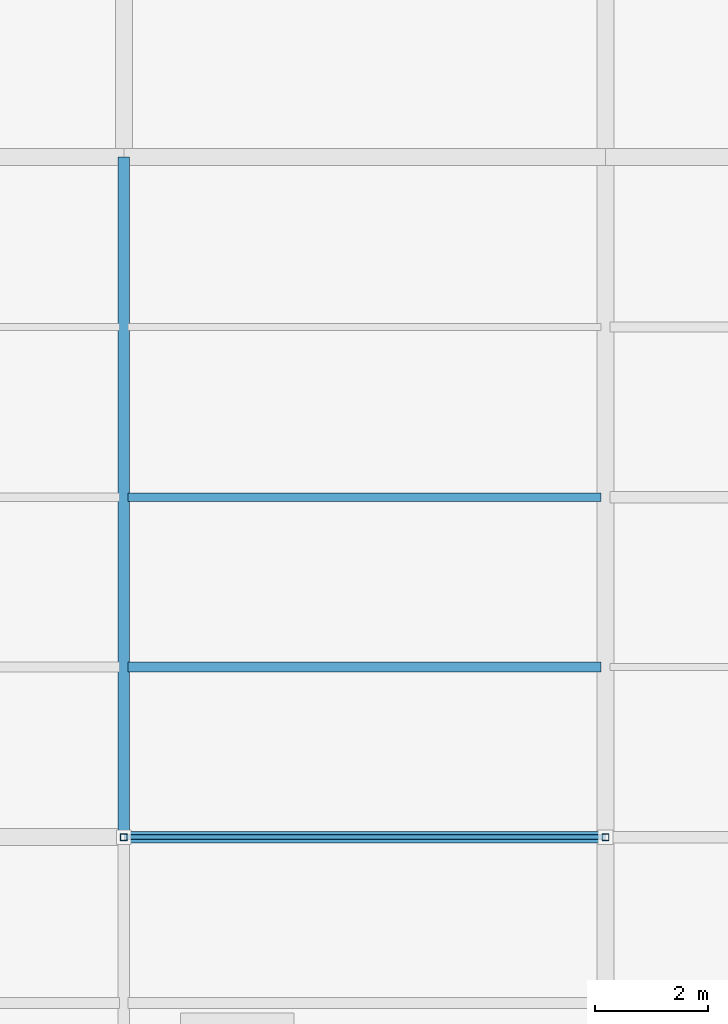
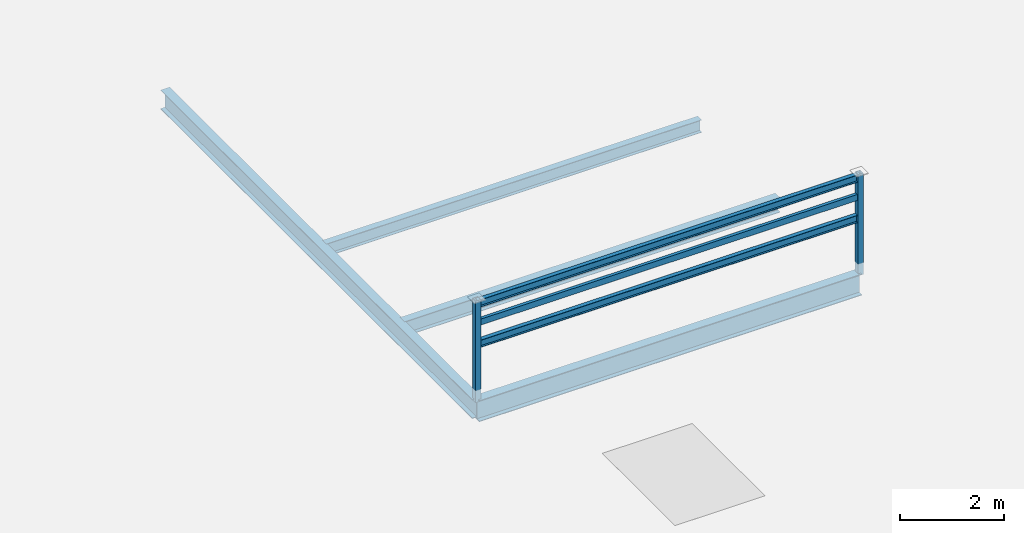
# One storey, part 13 of 66: 5 members, 4 beams.
"""IFC4 building model written with IfcOpenShell, lengths in metres."""

from ifc_helpers import new_model, si_unit, direction, frame, origin, origin_2d, place, context, subcontext, project, spatial, hollow_rectangle, i_section, extrude, material, material_profile, profile_set, type_object, element, save


model = new_model("IFC4")

# Units and contexts
model_context = context("Model", 3, precision=1e-05, world=origin(), true_north=direction((0.0, 1.0)))
body_context = subcontext(model_context, "Body", "Model", "MODEL_VIEW")
ifc_project = project(units=[si_unit("LENGTHUNIT", "METRE"), si_unit("AREAUNIT", "SQUARE_METRE"), si_unit("VOLUMEUNIT", "CUBIC_METRE"), si_unit("PLANEANGLEUNIT", "RADIAN"), si_unit("MASSUNIT", "GRAM", prefix="KILO")], contexts=[model_context])

# Site, building, storey
site_placement = place(None, origin())
site = spatial("IfcSite", under=ifc_project, at=site_placement, CompositionType="ELEMENT")
building_placement = place(site_placement, origin())
building = spatial("IfcBuilding", under=site, at=building_placement, Name="Solvikara Media Centre", CompositionType="ELEMENT")
storey_placement = place(building_placement, frame((0.0, 0.0, 19.800048828125)))
storey = spatial("IfcBuildingStorey", under=building, at=storey_placement, Name="L04", CompositionType="ELEMENT", Elevation=19.800048828125)

# Beams
ifc_material = material(Name="Steel S355JR", Category="steel")
ifc_material_profile_1 = material_profile(ifc_material, i_section(OverallWidth=0.199951171875, OverallDepth=0.5, WebThickness=0.010009765625, FlangeThickness=0.01611328125, at=origin_2d()), Name="WF 500x200x10x16")
ifc_profile_set_1 = profile_set([ifc_material_profile_1], Name="Steel S355JR")
beam_type_1 = type_object("IfcBeamType", Name="BM-19", PredefinedType="BEAM", material=ifc_profile_set_1)
beam_1_placement = place(storey_placement, frame((17.0, 56.5, -0.48193359375), z_axis=(1.0, 0.0, 0.0), x_axis=(0.0, 1.0, 0.0)))
element("IfcBeam", 1, at=beam_1_placement, inside=storey, type_object=beam_type_1, Name="B-L04-X1473", PredefinedType="BEAM", context=body_context, shape_type="SweptSolid", body=[
    extrude(i_section(OverallWidth=0.199951171875, OverallDepth=0.5, WebThickness=0.010009765625, FlangeThickness=0.01611328125, at=origin_2d()), origin(), (0.0, 0.0, 1.0), 8.5),
])
ifc_material_profile_2 = material_profile(ifc_material, i_section(OverallWidth=0.199951171875, OverallDepth=0.449951171875, WebThickness=0.009033203125, FlangeThickness=0.013916015625, at=origin_2d()), Name="WF 450x200x9x14")
ifc_profile_set_2 = profile_set([ifc_material_profile_2], Name="Steel S355JR")
beam_type_2 = type_object("IfcBeamType", Name="BM-20", PredefinedType="BEAM", material=ifc_profile_set_2)
beam_2_placement = place(storey_placement, frame((17.0, 56.5, -0.45703125), z_axis=(0.0, 1.0, 0.0), x_axis=(-1.0, 0.0, 0.0)))
element("IfcBeam", 2, at=beam_2_placement, inside=storey, type_object=beam_type_2, Name="B-L04-Y1502", PredefinedType="BEAM", context=body_context, shape_type="SweptSolid", body=[
    extrude(i_section(OverallWidth=0.199951171875, OverallDepth=0.449951171875, WebThickness=0.009033203125, FlangeThickness=0.013916015625, at=origin_2d()), origin(), (0.0, 0.0, 1.0), 12.0),
])
ifc_material_profile_3 = material_profile(ifc_material, i_section(OverallWidth=0.175048828125, OverallDepth=0.35009765625, WebThickness=0.007080078125, FlangeThickness=0.010986328125, at=origin_2d()), Name="WF 350x175x7x11")
ifc_profile_set_3 = profile_set([ifc_material_profile_3], Name="Steel S355JR")
beam_type_3 = type_object("IfcBeamType", Name="BM-22", PredefinedType="JOIST", material=ifc_profile_set_3)
beam_3_placement = place(storey_placement, frame((17.077880859375, 59.5, -0.406982421875), z_axis=(1.0, 0.0, 0.0), x_axis=(0.0, 1.0, 0.0)))
element("IfcBeam", 3, at=beam_3_placement, inside=storey, type_object=beam_type_3, Name="J-L04-1578", PredefinedType="JOIST", context=body_context, shape_type="SweptSolid", body=[
    extrude(i_section(OverallWidth=0.175048828125, OverallDepth=0.35009765625, WebThickness=0.007080078125, FlangeThickness=0.010986328125, at=origin_2d()), origin(), (0.0, 0.0, 1.0), 8.34423828125),
])
ifc_material_profile_4 = material_profile(ifc_material, i_section(OverallWidth=0.14990234375, OverallDepth=0.300048828125, WebThickness=0.006591796875, FlangeThickness=0.009033203125, at=origin_2d()), Name="WF 300x150x6.5x9")
ifc_profile_set_4 = profile_set([ifc_material_profile_4], Name="Steel S355JR")
beam_type_4 = type_object("IfcBeamType", Name="BM-23", PredefinedType="JOIST", material=ifc_profile_set_4)
beam_4_placement = place(storey_placement, frame((17.077880859375, 62.5, -0.382080078125), z_axis=(1.0, 0.0, 0.0), x_axis=(0.0, 1.0, 0.0)))
element("IfcBeam", 4, at=beam_4_placement, inside=storey, type_object=beam_type_4, Name="J-L04-1579", PredefinedType="JOIST", context=body_context, shape_type="SweptSolid", body=[
    extrude(i_section(OverallWidth=0.14990234375, OverallDepth=0.300048828125, WebThickness=0.006591796875, FlangeThickness=0.009033203125, at=origin_2d()), origin(), (0.0, 0.0, 1.0), 8.34423828125),
])

# Members
ifc_material_profile_5 = material_profile(ifc_material, hollow_rectangle(XDim=0.070068359375, YDim=0.139892578125, WallThickness=0.0048828125, at=origin_2d()), Name="RHS 140x70x5")
ifc_profile_set_5 = profile_set([ifc_material_profile_5], Name="Steel S355JR")
member_type_1 = type_object("IfcMemberType", Name="MB-20", PredefinedType="PURLIN", material=ifc_profile_set_5)
member_placement = place(storey_placement, frame((17.0, 56.5, 1.550048828125), z_axis=(1.0, 0.0, 0.0), x_axis=(0.0, 1.0, 0.0)))
element("IfcMember", 5, at=member_placement, inside=storey, type_object=member_type_1, Name="PS-PRL-2", PredefinedType="PURLIN", context=body_context, shape_type="SweptSolid", body=[
    extrude(hollow_rectangle(XDim=0.070068359375, YDim=0.139892578125, WallThickness=0.0048828125, at=origin_2d()), origin(), (0.0, 0.0, 1.0), 8.5),
])
ifc_material_profile_6 = material_profile(ifc_material, i_section(OverallWidth=0.090087890625, OverallDepth=0.175048828125, WebThickness=0.0048828125, FlangeThickness=0.008056640625, at=origin_2d()), Name="WF 175x90x5x8")
ifc_profile_set_6 = profile_set([ifc_material_profile_6], Name="Steel S355JR")
member_type_2 = type_object("IfcMemberType", Name="MB-22", PredefinedType="PURLIN", material=ifc_profile_set_6)
for number, where, z_axis, x_axis, name in (
    (6, (17.0, 56.5, 1.050048828125), (1.0, 0.0, 0.0), (0.0, 1.0, 0.0), "PS-RAIL-M2"),
    (7, (17.0, 56.5, 2.0), (1.0, 0.0, 0.0), (0.0, 1.0, 0.0), "PS-RAIL-T2"),
):
    element("IfcMember", number, at=place(storey_placement, frame(where, z_axis=z_axis, x_axis=x_axis)), inside=storey, type_object=member_type_2, Name=name, PredefinedType="PURLIN", context=body_context, shape_type="SweptSolid", body=[
        extrude(i_section(OverallWidth=0.090087890625, OverallDepth=0.175048828125, WebThickness=0.0048828125, FlangeThickness=0.008056640625, at=origin_2d()), origin(), (0.0, 0.0, 1.0), 8.5),
    ])
ifc_material_profile_7 = material_profile(ifc_material, hollow_rectangle(XDim=0.1201171875, YDim=0.1201171875, WallThickness=0.006103515625, at=origin_2d()), Name="RHS 120x120x6")
ifc_profile_set_7 = profile_set([ifc_material_profile_7], Name="Steel S355JR")
member_type_3 = type_object("IfcMemberType", Name="MB-24", PredefinedType="POST", material=ifc_profile_set_7)
for number, where, z_axis, x_axis, name in (
    (8, (17.0, 56.5, -0.280029296875), (0.0, 0.0, 1.0), (1.0, 0.0, 0.0), "PS-POST-A2"),
    (9, (25.5, 56.5, -0.280029296875), (0.0, 0.0, 1.0), (1.0, 0.0, 0.0), "PS-POST-B2"),
):
    element("IfcMember", number, at=place(storey_placement, frame(where, z_axis=z_axis, x_axis=x_axis)), inside=storey, type_object=member_type_3, Name=name, PredefinedType="POST", context=body_context, shape_type="SweptSolid", body=[
        extrude(hollow_rectangle(XDim=0.1201171875, YDim=0.1201171875, WallThickness=0.006103515625, at=origin_2d()), origin(), (0.0, 0.0, 1.0), 2.3798828125),
    ])

save(model, "model.ifc")
